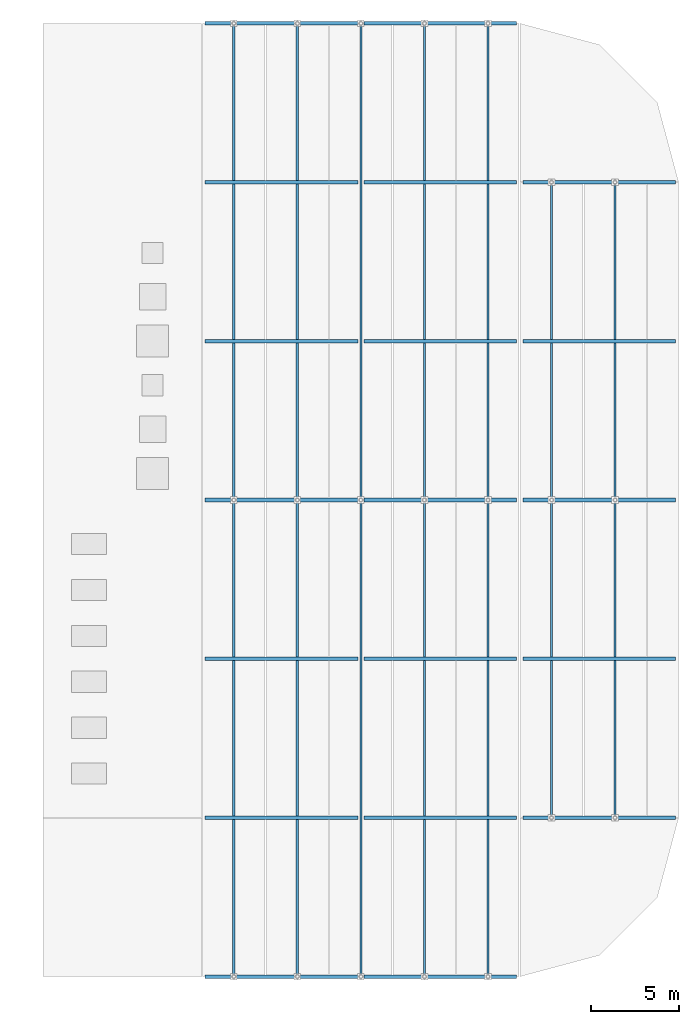
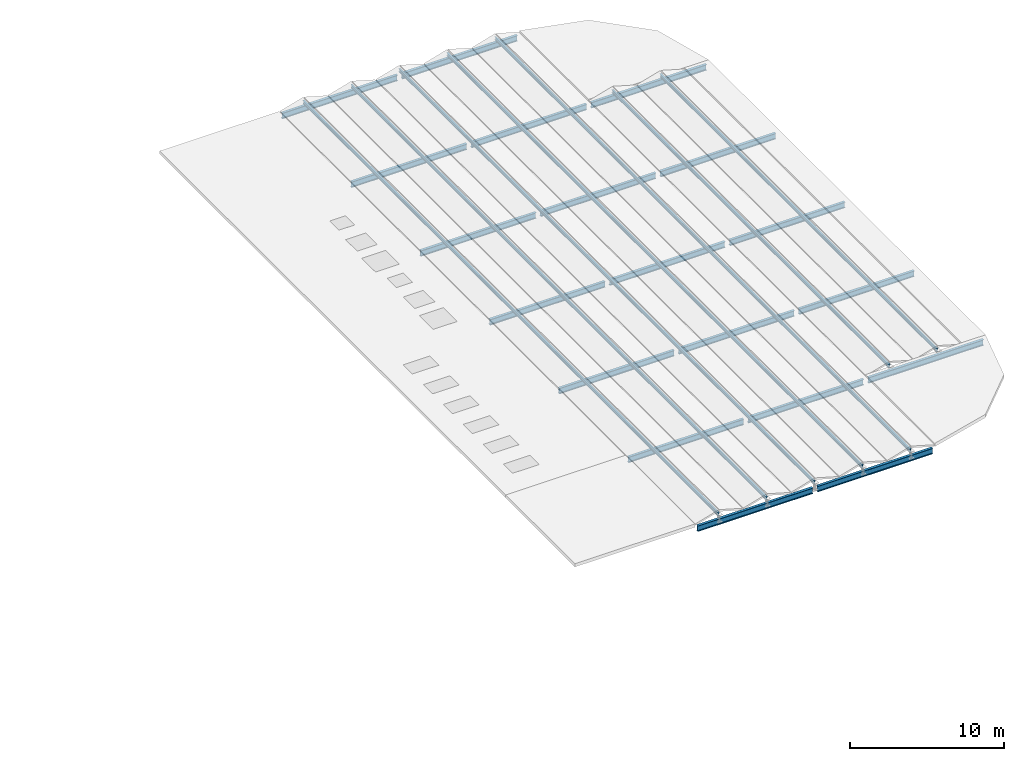
# One storey, part 1 of 6: 19 beams, 7 members.
"""IFC4 building model written with IfcOpenShell, lengths in metres."""

from ifc_helpers import new_model, si_unit, direction, frame, origin, origin_2d, place, context, subcontext, project, spatial, i_section, extrude, material, material_profile, profile_set, type_object, element, save


model = new_model("IFC4")

# Units and contexts
model_context = context("Model", 3, precision=1e-05, world=origin(), true_north=direction((0.0, 1.0)))
body_context = subcontext(model_context, "Body", "Model", "MODEL_VIEW")
ifc_project = project(units=[si_unit("LENGTHUNIT", "METRE"), si_unit("AREAUNIT", "SQUARE_METRE"), si_unit("VOLUMEUNIT", "CUBIC_METRE"), si_unit("PLANEANGLEUNIT", "RADIAN"), si_unit("MASSUNIT", "GRAM", prefix="KILO")], contexts=[model_context])

# Site, building, storey
site_placement = place(None, origin())
site = spatial("IfcSite", under=ifc_project, at=site_placement, CompositionType="ELEMENT")
building_placement = place(site_placement, origin())
building = spatial("IfcBuilding", under=site, at=building_placement, Name="Suzunagisa Mobility Hub", CompositionType="ELEMENT")
storey_placement = place(building_placement, frame((0.0, 0.0, 30.300048828125)))
storey = spatial("IfcBuildingStorey", under=building, at=storey_placement, Name="Roof", CompositionType="ELEMENT", Elevation=30.300048828125)

# Members
ifc_material = material(Name="Steel SN400B", Category="steel")
ifc_material_profile_1 = material_profile(ifc_material, i_section(OverallWidth=0.125, OverallDepth=0.25, WebThickness=0.006103515625, FlangeThickness=0.009033203125, FilletRadius=0.008056640625, at=origin_2d()), Name="H-250x125x6x9")
ifc_profile_set_1 = profile_set([ifc_material_profile_1], Name="Steel SN400B")
member_type = type_object("IfcMemberType", Name="Roof Truss and Brace Member MB-10 H-250x125x6x9", PredefinedType="PURLIN", material=ifc_profile_set_1)
for number, where, z_axis, x_axis, name in (
    (1, (154.800048828125, 44.0, 0.13916015625), (0.0, 1.0, 0.0), (-1.0, 0.0, 0.0), "Roof Sports Canopy Ridge Purlin 1"),
    (2, (158.39990234375, 44.0, 0.13916015625), (0.0, 1.0, 0.0), (-1.0, 0.0, 0.0), "Roof Sports Canopy Ridge Purlin 2"),
    (3, (162.0, 44.0, 0.13916015625), (0.0, 1.0, 0.0), (-1.0, 0.0, 0.0), "Roof Sports Canopy Ridge Purlin 3"),
    (4, (165.60009765625, 44.0, 0.13916015625), (0.0, 1.0, 0.0), (-1.0, 0.0, 0.0), "Roof Sports Canopy Ridge Purlin 4"),
    (5, (169.199951171875, 44.0, 0.13916015625), (0.0, 1.0, 0.0), (-1.0, 0.0, 0.0), "Roof Sports Canopy Ridge Purlin 5"),
):
    element("IfcMember", number, at=place(storey_placement, frame(where, z_axis=z_axis, x_axis=x_axis)), inside=storey, type_object=member_type, Name=name, PredefinedType="PURLIN", context=body_context, shape_type="SweptSolid", body=[
        extrude(i_section(OverallWidth=0.125, OverallDepth=0.25, WebThickness=0.006103515625, FlangeThickness=0.009033203125, FilletRadius=0.008056640625, at=origin_2d()), origin(), (0.0, 0.0, 1.0), 54.0),
    ])
for number, where, z_axis, x_axis, name in (
    (6, (172.800048828125, 53.0, 0.13916015625), (0.0, 1.0, 0.0), (-1.0, 0.0, 0.0), "Roof Sports Canopy Ridge Purlin 6"),
    (7, (176.39990234375, 53.0, 0.13916015625), (0.0, 1.0, 0.0), (-1.0, 0.0, 0.0), "Roof Sports Canopy Ridge Purlin 7"),
):
    element("IfcMember", number, at=place(storey_placement, frame(where, z_axis=z_axis, x_axis=x_axis)), inside=storey, type_object=member_type, Name=name, PredefinedType="PURLIN", context=body_context, shape_type="SweptSolid", body=[
        extrude(i_section(OverallWidth=0.125, OverallDepth=0.25, WebThickness=0.006103515625, FlangeThickness=0.009033203125, FilletRadius=0.008056640625, at=origin_2d()), origin(), (0.0, 0.0, 1.0), 36.0),
    ])

# Beams
ifc_material_profile_2 = material_profile(ifc_material, i_section(OverallWidth=0.199951171875, OverallDepth=0.449951171875, WebThickness=0.009033203125, FlangeThickness=0.013916015625, FilletRadius=0.012939453125, at=origin_2d()), Name="H-450x200x9x14")
ifc_profile_set_2 = profile_set([ifc_material_profile_2], Name="Steel SN400B")
beam_type = type_object("IfcBeamType", Name="Steel Beam BM-05 H-450x200x9x14", PredefinedType="JOIST", material=ifc_profile_set_2)
for number, where, z_axis, x_axis, name in (
    (8, (153.175048828125, 44.0, -0.394287109375), (1.0, 0.0, 0.0), (0.0, 1.0, 0.0), "Roof Sports Canopy Transverse Girder 2270"),
    (9, (162.175048828125, 44.0, -0.394287109375), (1.0, 0.0, 0.0), (0.0, 1.0, 0.0), "Roof Sports Canopy Transverse Girder 2271"),
    (10, (153.175048828125, 53.0, -0.394287109375), (1.0, 0.0, 0.0), (0.0, 1.0, 0.0), "Roof Sports Canopy Transverse Girder 2272"),
    (11, (162.175048828125, 53.0, -0.394287109375), (1.0, 0.0, 0.0), (0.0, 1.0, 0.0), "Roof Sports Canopy Transverse Girder 2273"),
    (12, (171.175048828125, 53.0, -0.394287109375), (1.0, 0.0, 0.0), (0.0, 1.0, 0.0), "Roof Sports Canopy Transverse Girder 2274"),
    (13, (153.175048828125, 62.0, -0.394287109375), (1.0, 0.0, 0.0), (0.0, 1.0, 0.0), "Roof Sports Canopy Transverse Girder 2275"),
    (14, (162.175048828125, 62.0, -0.394287109375), (1.0, 0.0, 0.0), (0.0, 1.0, 0.0), "Roof Sports Canopy Transverse Girder 2276"),
    (15, (171.175048828125, 62.0, -0.394287109375), (1.0, 0.0, 0.0), (0.0, 1.0, 0.0), "Roof Sports Canopy Transverse Girder 2277"),
    (16, (153.175048828125, 71.0, -0.394287109375), (1.0, 0.0, 0.0), (0.0, 1.0, 0.0), "Roof Sports Canopy Transverse Girder 2278"),
    (17, (162.175048828125, 71.0, -0.394287109375), (1.0, 0.0, 0.0), (0.0, 1.0, 0.0), "Roof Sports Canopy Transverse Girder 2279"),
    (18, (171.175048828125, 71.0, -0.394287109375), (1.0, 0.0, 0.0), (0.0, 1.0, 0.0), "Roof Sports Canopy Transverse Girder 2280"),
    (19, (153.175048828125, 80.0, -0.394287109375), (1.0, 0.0, 0.0), (0.0, 1.0, 0.0), "Roof Sports Canopy Transverse Girder 2281"),
    (20, (162.175048828125, 80.0, -0.394287109375), (1.0, 0.0, 0.0), (0.0, 1.0, 0.0), "Roof Sports Canopy Transverse Girder 2282"),
    (21, (171.175048828125, 80.0, -0.394287109375), (1.0, 0.0, 0.0), (0.0, 1.0, 0.0), "Roof Sports Canopy Transverse Girder 2283"),
    (22, (153.175048828125, 89.0, -0.394287109375), (1.0, 0.0, 0.0), (0.0, 1.0, 0.0), "Roof Sports Canopy Transverse Girder 2284"),
    (23, (162.175048828125, 89.0, -0.394287109375), (1.0, 0.0, 0.0), (0.0, 1.0, 0.0), "Roof Sports Canopy Transverse Girder 2285"),
    (24, (171.175048828125, 89.0, -0.394287109375), (1.0, 0.0, 0.0), (0.0, 1.0, 0.0), "Roof Sports Canopy Transverse Girder 2286"),
    (25, (153.175048828125, 98.0, -0.394287109375), (1.0, 0.0, 0.0), (0.0, 1.0, 0.0), "Roof Sports Canopy Transverse Girder 2287"),
    (26, (162.175048828125, 98.0, -0.394287109375), (1.0, 0.0, 0.0), (0.0, 1.0, 0.0), "Roof Sports Canopy Transverse Girder 2288"),
):
    element("IfcBeam", number, at=place(storey_placement, frame(where, z_axis=z_axis, x_axis=x_axis)), inside=storey, type_object=beam_type, Name=name, PredefinedType="JOIST", context=body_context, shape_type="SweptSolid", body=[
        extrude(i_section(OverallWidth=0.199951171875, OverallDepth=0.449951171875, WebThickness=0.009033203125, FlangeThickness=0.013916015625, FilletRadius=0.012939453125, at=origin_2d()), origin(), (0.0, 0.0, 1.0), 8.64990234375),
    ])

save(model, "model.ifc")
